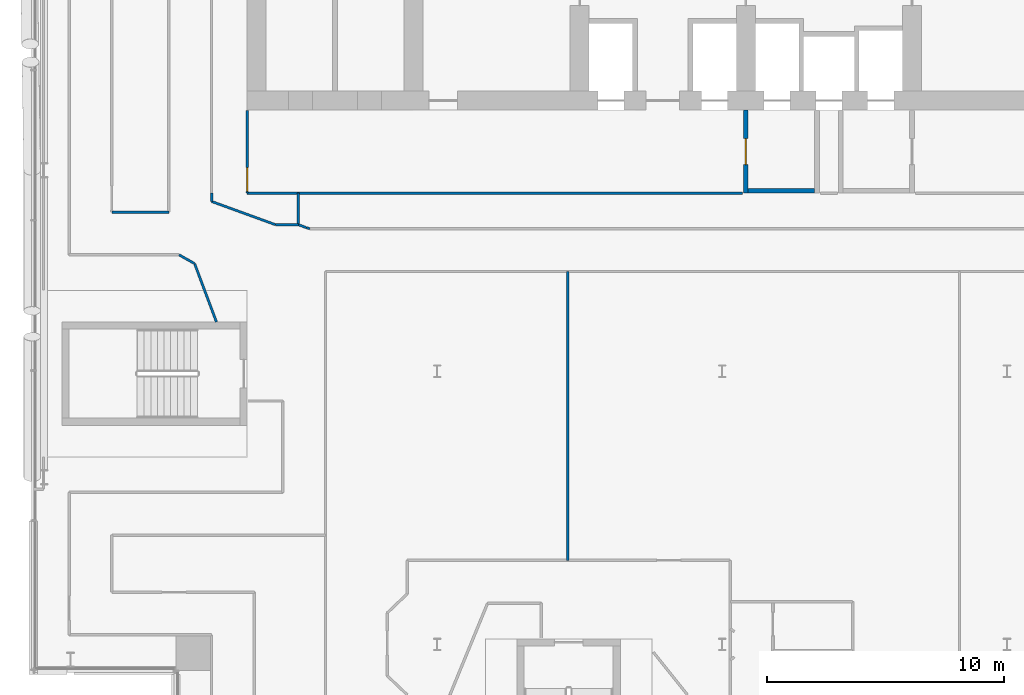
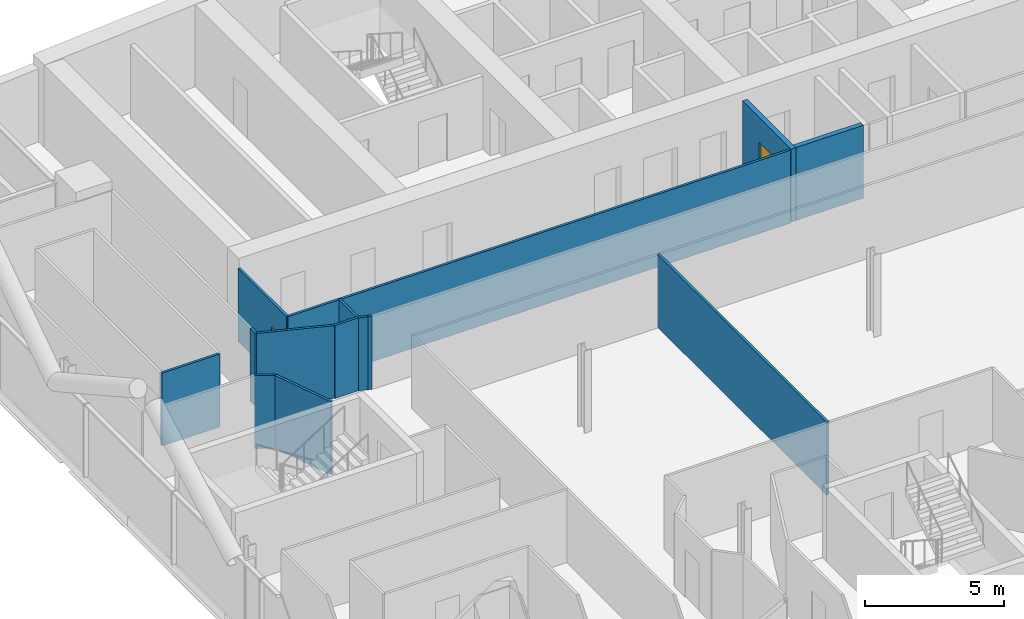
# One storey, part 16 of 27: 14 walls, 2 doors, 2 openings.
"""IFC4 building model written with IfcOpenShell, lengths in metres."""

from ifc_helpers import new_model, si_unit, direction, frame, frame_2d, origin, place, context, subcontext, project, spatial, rectangle, extrude, material, layer, layer_set, type_object, element, fill, save


model = new_model("IFC4")

# Units and contexts
model_context = context("Model", 3, precision=1e-05, world=origin(), true_north=direction((0.0, 1.0)))
body_context = subcontext(model_context, "Body", "Model", "MODEL_VIEW")
ifc_project = project(units=[si_unit("LENGTHUNIT", "METRE"), si_unit("AREAUNIT", "SQUARE_METRE"), si_unit("VOLUMEUNIT", "CUBIC_METRE"), si_unit("PLANEANGLEUNIT", "RADIAN"), si_unit("MASSUNIT", "GRAM", prefix="KILO")], contexts=[model_context])

# Site, building, storey
site_placement = place(None, origin())
site = spatial("IfcSite", under=ifc_project, at=site_placement, CompositionType="ELEMENT")
building_placement = place(site_placement, origin())
building = spatial("IfcBuilding", under=site, at=building_placement, Name="Wharfspan Tower", CompositionType="ELEMENT")
storey_placement = place(building_placement, frame((0.0, 0.0, 191.5)))
storey = spatial("IfcBuildingStorey", under=building, at=storey_placement, Name="L47", CompositionType="ELEMENT", Elevation=191.5)

# Walls
ifc_material_1 = material(Name="Gypsum board on steel studs", Category="steel")
ifc_layer_1 = layer(ifc_material_1, 0.100098)
ifc_layer_set_1 = layer_set([ifc_layer_1], Name="Gypsum board on steel studs")
wall_type_1 = type_object("IfcWallType", Name="Compartment wall 100 EI 60", PredefinedType="PARTITIONING", material=ifc_layer_set_1)
wall_1_placement = place(storey_placement, frame((10.300049, 29.699951, 0.0), z_axis=(0.0, 0.0, 1.0), x_axis=(1.0, 0.0, 0.0)))
element("IfcWall", 1, at=wall_1_placement, inside=storey, type_object=wall_type_1, Name="Partition L47.w014", PredefinedType="PARTITIONING", context=body_context, shape_type="SweptSolid", body=[
    extrude(rectangle(XDim=2.399902, YDim=0.100098, at=frame_2d((1.199951, 0.0))), origin(), (0.0, 0.0, 1.0), 3.199951),
])
wall_2_placement = place(storey_placement, frame((13.784912, 27.534912, 0.0), z_axis=(0.0, 0.0, 1.0), x_axis=(-0.871911, 0.489672, 0.0)))
element("IfcWall", 2, at=wall_2_placement, inside=storey, type_object=wall_type_1, Name="Partition L47.w017", PredefinedType="PARTITIONING", context=body_context, shape_type="SweptSolid", body=[
    extrude(rectangle(XDim=0.745361, YDim=0.100098, at=frame_2d((0.372559, 0.0))), origin(), (0.0, 0.0, 1.0), 3.199951),
])
wall_3_placement = place(storey_placement, frame((14.504883, 30.149902, 0.0), z_axis=(0.0, 0.0, 1.0), x_axis=(-0.013946, 0.999907, 0.0)))
element("IfcWall", 3, at=wall_3_placement, inside=storey, type_object=wall_type_1, Name="Partition L47.w020", PredefinedType="PARTITIONING", context=body_context, shape_type="SweptSolid", body=[
    extrude(rectangle(XDim=0.350098, YDim=0.100098, at=frame_2d((0.175049, 0.0))), origin(), (0.0, 0.0, 1.0), 3.199951),
])
wall_4_placement = place(storey_placement, frame((14.706055, 25.074951, 0.0), z_axis=(0.0, 0.0, 1.0), x_axis=(-0.350591, 0.936528, 0.0)))
element("IfcWall", 4, at=wall_4_placement, inside=storey, type_object=wall_type_1, Name="Partition L47.w021", PredefinedType="PARTITIONING", context=body_context, shape_type="SweptSolid", body=[
    extrude(rectangle(XDim=2.614258, YDim=0.100098, at=frame_2d((1.307129, 0.0))), origin(), (0.0, 0.0, 1.0), 3.199951),
])

# Wall, opening, door
wall_5_placement = place(storey_placement, frame((16.0, 30.5, 0.0), z_axis=(0.0, 0.0, 1.0), x_axis=(0.0, 1.0, 0.0)))
wall_5 = element("IfcWall", 5, at=wall_5_placement, inside=storey, type_object=wall_type_1, Name="Partition L47.w022", PredefinedType="PARTITIONING", context=body_context, shape_type="SweptSolid", body=[
    extrude(rectangle(XDim=3.47998, YDim=0.100098, at=frame_2d((1.73999, 0.0))), origin(), (0.0, 0.0, 1.0), 3.199951),
])
opening_1_placement = place(wall_5_placement, frame((0.080078, 0.0, 0.0)))
opening_1 = element("IfcOpeningElement", 6, at=opening_1_placement, cuts=wall_5, Name="Opening C5-23", PredefinedType="OPENING", context=body_context, shape_type="SweptSolid", body=[
    extrude(rectangle(XDim=1.0, YDim=2.100098, at=frame_2d((0.5, 1.050049))), frame((0.0, 0.060059, 0.0), z_axis=(0.0, -1.0, 0.0), x_axis=(1.0, 0.0, 0.0)), (0.0, 0.0, 1.0), 0.120117),
])
ifc_material_2 = material(Name="Fire-rated timber door leaf in steel frame", Category="steel")
door_type_1 = type_object("IfcDoorType", Name="Door 1000 FD30S Left", OperationType="SINGLE_SWING_LEFT", PredefinedType="DOOR", material=ifc_material_2)
door_1_placement = place(opening_1_placement, origin())
door_1 = element("IfcDoor", 7, at=door_1_placement, inside=storey, type_object=door_type_1, Name="Door C5-23", OperationType="SINGLE_SWING_LEFT", OverallHeight=2.100098, OverallWidth=1.0, PredefinedType="DOOR", context=body_context, shape_type="SweptSolid", body=[
    extrude(rectangle(XDim=1.0, YDim=2.100098, at=frame_2d((0.5, 1.050049))), frame((0.0, 0.024902, 0.0), z_axis=(0.0, -1.0, 0.0), x_axis=(1.0, 0.0, 0.0)), (0.0, 0.0, 1.0), 0.050049),
])
fill(opening_1, door_1)

# Walls
wall_6_placement = place(storey_placement, frame((16.0, 30.5, 0.0), z_axis=(0.0, 0.0, 1.0), x_axis=(1.0, 0.0, 0.0)))
element("IfcWall", 8, at=wall_6_placement, inside=storey, type_object=wall_type_1, Name="Partition L47.w023", PredefinedType="PARTITIONING", context=body_context, shape_type="SweptSolid", body=[
    extrude(rectangle(XDim=20.850098, YDim=0.100098, at=frame_2d((10.425049, 0.0))), origin(), (0.0, 0.0, 1.0), 3.199951),
])
wall_7_placement = place(storey_placement, frame((17.185059, 29.175049, 0.0), z_axis=(0.0, 0.0, 1.0), x_axis=(1.0, 0.0, 0.0)))
element("IfcWall", 9, at=wall_7_placement, inside=storey, type_object=wall_type_1, Name="Partition L47.w026", PredefinedType="PARTITIONING", context=body_context, shape_type="SweptSolid", body=[
    extrude(rectangle(XDim=0.969971, YDim=0.100098, at=frame_2d((0.484863, 0.0))), origin(), (0.0, 0.0, 1.0), 3.199951),
])
wall_8_placement = place(storey_placement, frame((17.185059, 29.175049, 0.0), z_axis=(0.0, 0.0, 1.0), x_axis=(-0.939764, 0.341818, 0.0)))
element("IfcWall", 10, at=wall_8_placement, inside=storey, type_object=wall_type_1, Name="Partition L47.w027", PredefinedType="PARTITIONING", context=body_context, shape_type="SweptSolid", body=[
    extrude(rectangle(XDim=2.852051, YDim=0.100098, at=frame_2d((1.426025, 0.0))), origin(), (0.0, 0.0, 1.0), 3.199951),
])
wall_9_placement = place(storey_placement, frame((18.155029, 29.179932, 0.0), z_axis=(0.0, 0.0, 1.0), x_axis=(0.0, 1.0, 0.0)))
element("IfcWall", 11, at=wall_9_placement, inside=storey, type_object=wall_type_1, Name="Partition L47.w029", PredefinedType="PARTITIONING", context=body_context, shape_type="SweptSolid", body=[
    extrude(rectangle(XDim=1.320068, YDim=0.100098, at=frame_2d((0.660156, 0.0))), origin(), (0.0, 0.0, 1.0), 3.199951),
])
wall_10_placement = place(storey_placement, frame((18.48999, 29.050049, 0.0), z_axis=(0.0, 0.0, 1.0), x_axis=(-0.939932, 0.341351, 0.0)))
element("IfcWall", 12, at=wall_10_placement, inside=storey, type_object=wall_type_1, Name="Partition L47.w030", PredefinedType="PARTITIONING", context=body_context, shape_type="SweptSolid", body=[
    extrude(rectangle(XDim=0.351074, YDim=0.100098, at=frame_2d((0.175537, 0.0))), origin(), (0.0, 0.0, 1.0), 3.199951),
])
wall_11_placement = place(storey_placement, frame((18.63501, 29.0, 0.0), z_axis=(0.0, 0.0, 1.0), x_axis=(-0.937648, 0.347591, 0.0)))
element("IfcWall", 13, at=wall_11_placement, inside=storey, type_object=wall_type_1, Name="Partition L47.w034", PredefinedType="PARTITIONING", context=body_context, shape_type="SweptSolid", body=[
    extrude(rectangle(XDim=0.144043, YDim=0.100098, at=frame_2d((0.072021, 0.0))), origin(), (0.0, 0.0, 1.0), 3.199951),
])
wall_12_placement = place(storey_placement, frame((29.5, 15.034912, 0.0), z_axis=(0.0, 0.0, 1.0), x_axis=(0.0, 1.0, 0.0)))
element("IfcWall", 14, at=wall_12_placement, inside=storey, type_object=wall_type_1, Name="Partition L47.w052", PredefinedType="PARTITIONING", context=body_context, shape_type="SweptSolid", body=[
    extrude(rectangle(XDim=12.165039, YDim=0.100098, at=frame_2d((6.08252, 0.0))), origin(), (0.0, 0.0, 1.0), 3.199951),
])

# Wall, opening, door
ifc_material_3 = material(Name="Concrete C30/37", Category="concrete")
ifc_layer_2 = layer(ifc_material_3, 0.199951)
ifc_layer_set_2 = layer_set([ifc_layer_2], Name="Concrete C30/37")
wall_type_2 = type_object("IfcWallType", Name="Lobby wall 200", PredefinedType="PARTITIONING", material=ifc_layer_set_2)
wall_13_placement = place(storey_placement, frame((37.0, 30.5, 0.0), z_axis=(0.0, 0.0, 1.0), x_axis=(0.0, 1.0, 0.0)))
wall_13 = element("IfcWall", 15, at=wall_13_placement, inside=storey, type_object=wall_type_2, Name="sw:L47:FLFF1W", PredefinedType="PARTITIONING", context=body_context, shape_type="SweptSolid", body=[
    extrude(rectangle(XDim=3.5, YDim=0.199951, at=frame_2d((1.75, 0.0))), origin(), (0.0, 0.0, 1.0), 3.199951),
])
opening_2_placement = place(wall_13_placement, frame((1.199951, 0.0, 0.0)))
opening_2 = element("IfcOpeningElement", 16, at=opening_2_placement, cuts=wall_13, Name="Opening FL.FF1.L47", PredefinedType="OPENING", context=body_context, shape_type="SweptSolid", body=[
    extrude(rectangle(XDim=1.100098, YDim=2.100098, at=frame_2d((0.550049, 1.050049))), frame((0.0, 0.109863, 0.0), z_axis=(0.0, -1.0, 0.0), x_axis=(1.0, 0.0, 0.0)), (0.0, 0.0, 1.0), 0.219971),
])
ifc_material_4 = material(Name="Steel door leaf", Category="steel")
door_type_2 = type_object("IfcDoorType", Name="Firefighting lobby door 1100x2100", OperationType="SINGLE_SWING_LEFT", PredefinedType="DOOR", material=ifc_material_4)
door_2_placement = place(opening_2_placement, origin())
door_2 = element("IfcDoor", 17, at=door_2_placement, inside=storey, type_object=door_type_2, Name="fd:L47:FF1", OperationType="SINGLE_SWING_LEFT", OverallHeight=2.100098, OverallWidth=1.100098, PredefinedType="DOOR", context=body_context, shape_type="SweptSolid", body=[
    extrude(rectangle(XDim=1.100098, YDim=2.100098, at=frame_2d((0.550049, 1.050049))), frame((0.0, 0.024902, 0.0), z_axis=(0.0, -1.0, 0.0), x_axis=(1.0, 0.0, 0.0)), (0.0, 0.0, 1.0), 0.050049),
])
fill(opening_2, door_2)

# Wall
wall_14_placement = place(storey_placement, frame((37.100098, 30.600098, 0.0), z_axis=(0.0, 0.0, 1.0), x_axis=(1.0, 0.0, 0.0)))
element("IfcWall", 18, at=wall_14_placement, inside=storey, type_object=wall_type_2, Name="sw:L47:FLFF1F", PredefinedType="PARTITIONING", context=body_context, shape_type="SweptSolid", body=[
    extrude(rectangle(XDim=2.799805, YDim=0.199951, at=frame_2d((1.399902, 0.0))), origin(), (0.0, 0.0, 1.0), 3.199951),
])

save(model, "model.ifc")
